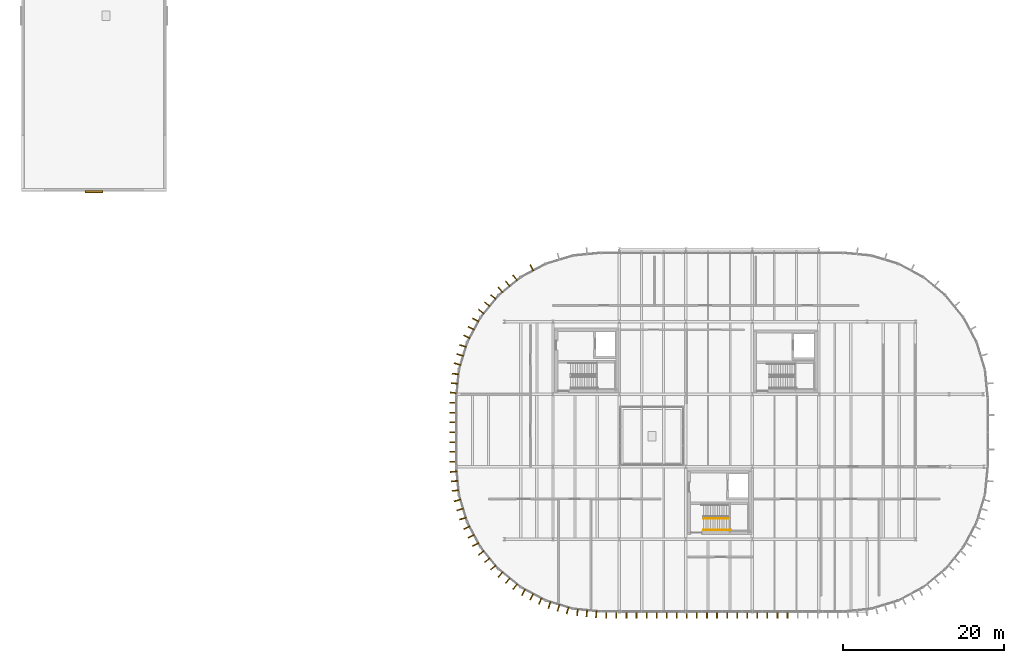
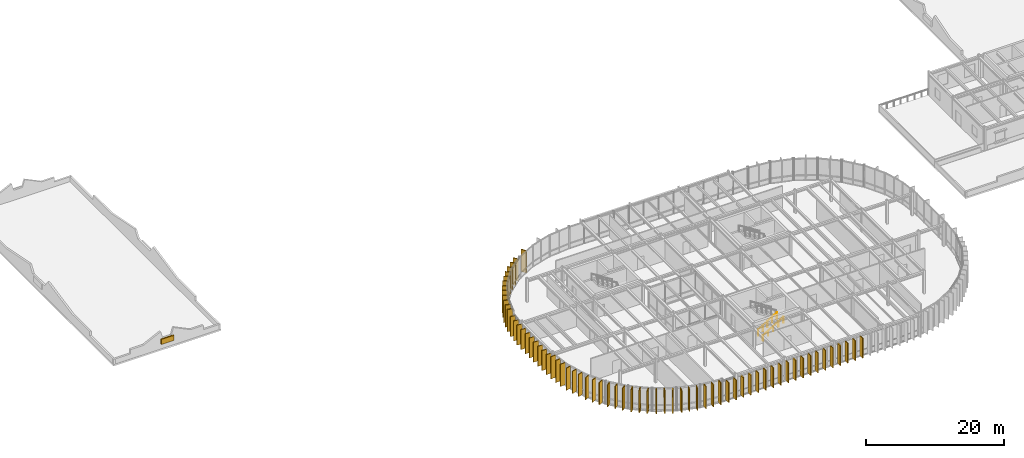
# One storey, part 26 of 31: 67 coverings, 2 railings.
"""IFC4 building model written with IfcOpenShell, lengths in metres."""

from ifc_helpers import new_model, si_unit, direction, frame, origin, origin_2d, place, context, subcontext, project, spatial, rectangle, circle, extrude, material, layer, layer_set, type_object, element, save


model = new_model("IFC4")

# Units and contexts
model_context = context("Model", 3, precision=1e-05, world=origin(), true_north=direction((0.0, 1.0)))
body_context = subcontext(model_context, "Body", "Model", "MODEL_VIEW")
ifc_project = project(units=[si_unit("LENGTHUNIT", "METRE"), si_unit("AREAUNIT", "SQUARE_METRE"), si_unit("VOLUMEUNIT", "CUBIC_METRE"), si_unit("PLANEANGLEUNIT", "RADIAN"), si_unit("MASSUNIT", "GRAM", prefix="KILO")], contexts=[model_context])

# Site, building, storey
site_placement = place(None, origin())
site = spatial("IfcSite", under=ifc_project, at=site_placement, CompositionType="ELEMENT")
building_placement = place(site_placement, origin())
building = spatial("IfcBuilding", under=site, at=building_placement, Name="Montealbar Specialist Clinic", CompositionType="ELEMENT")
storey_placement = place(building_placement, frame((0.0, 0.0, 13.800048828125)))
storey = spatial("IfcBuildingStorey", under=building, at=storey_placement, Name="L03", CompositionType="ELEMENT", Elevation=13.800048828125)

# Coverings
ifc_material_1 = material(Name="Thermally modified timber cladding", Category="wood")
ifc_layer_1 = layer(ifc_material_1, 0.139892578125, Name="Thermally modified timber cladding", Category="wood")
ifc_layer_set_1 = layer_set([ifc_layer_1], Name="Thermally modified timber cladding")
covering_type_1 = type_object("IfcCoveringType", Name="COV-FIN-TIMBER-850", PredefinedType="CLADDING", material=ifc_layer_set_1)
for number, where, z_axis, x_axis, name in (
    (1, (53.659912109375, 27.175048828125, 0.0), (0.0, 0.0, 1.0), (-0.995182012183, 0.098044697094, 0.0), "Vertical Timber Solar Fin CF-L03-0170"),
    (2, (53.77490234375, 28.344970703125, 0.0), (0.0, 0.0, 1.0), (-0.995182012183, 0.098044697094, 0.0), "Vertical Timber Solar Fin CF-L03-0171"),
    (3, (53.889892578125, 29.51611328125, 0.0), (0.0, 0.0, 1.0), (-0.995182012183, 0.098044697094, 0.0), "Vertical Timber Solar Fin CF-L03-0172"),
):
    element("IfcCovering", number, at=place(storey_placement, frame(where, z_axis=z_axis, x_axis=x_axis)), inside=storey, type_object=covering_type_1, Name=name, PredefinedType="CLADDING", context=body_context, shape_type="SweptSolid", body=[
        extrude(rectangle(XDim=0.85009765625, YDim=0.139892578125, at=origin_2d()), origin(), (0.0, 0.0, 1.0), 3.5400390625),
    ])
for number, where, z_axis, x_axis, name in (
    (4, (54.134033203125, 30.740966796875, 0.0), (0.0, 0.0, 1.0), (-0.956948083701, 0.290259134399, 0.0), "Vertical Timber Solar Fin CF-L03-0173"),
    (5, (54.47509765625, 31.865966796875, 0.0), (0.0, 0.0, 1.0), (-0.956948083701, 0.290259134399, 0.0), "Vertical Timber Solar Fin CF-L03-0174"),
    (6, (54.81689453125, 32.990966796875, 0.0), (0.0, 0.0, 1.0), (-0.956948083701, 0.290259134399, 0.0), "Vertical Timber Solar Fin CF-L03-0175"),
    (7, (55.294921875, 34.14501953125, 0.0), (0.0, 0.0, 1.0), (-0.881850411644, 0.471529268958, 0.0), "Vertical Timber Solar Fin CF-L03-0176"),
    (8, (55.84912109375, 35.18310546875, 0.0), (0.0, 0.0, 1.0), (-0.881850411644, 0.471529268958, 0.0), "Vertical Timber Solar Fin CF-L03-0177"),
    (9, (56.404052734375, 36.219970703125, 0.0), (0.0, 0.0, 1.0), (-0.881850411644, 0.471529268958, 0.0), "Vertical Timber Solar Fin CF-L03-0178"),
    (10, (57.097900390625, 37.258056640625, 0.0), (0.0, 0.0, 1.0), (-0.773123255923, 0.634255808922, 0.0), "Vertical Timber Solar Fin CF-L03-0179"),
    (11, (57.843994140625, 38.16796875, 0.0), (0.0, 0.0, 1.0), (-0.773123255923, 0.634255808922, 0.0), "Vertical Timber Solar Fin CF-L03-0180"),
    (12, (58.590087890625, 39.076904296875, 0.0), (0.0, 0.0, 1.0), (-0.773123255923, 0.634255808922, 0.0), "Vertical Timber Solar Fin CF-L03-0181"),
    (13, (59.472900390625, 39.9599609375, 0.0), (0.0, 0.0, 1.0), (-0.634255808922, 0.773123255923, 0.0), "Vertical Timber Solar Fin CF-L03-0182"),
    (14, (60.382080078125, 40.7060546875, 0.0), (0.0, 0.0, 1.0), (-0.634255808922, 0.773123255923, 0.0), "Vertical Timber Solar Fin CF-L03-0183"),
    (15, (61.2919921875, 41.451904296875, 0.0), (0.0, 0.0, 1.0), (-0.634255808922, 0.773123255923, 0.0), "Vertical Timber Solar Fin CF-L03-0184"),
    (16, (63.366943359375, 42.700927734375, 0.0), (0.0, 0.0, 1.0), (-0.471529268958, 0.881850411644, 0.0), "Vertical Timber Solar Fin CF-L03-0185"),
):
    element("IfcCovering", number, at=place(storey_placement, frame(where, z_axis=z_axis, x_axis=x_axis)), inside=storey, type_object=covering_type_1, Name=name, PredefinedType="CLADDING", context=body_context, shape_type="SweptSolid", body=[
        extrude(rectangle(XDim=0.85009765625, YDim=0.139892578125, at=origin_2d()), origin(), (0.0, 0.0, 1.0), 3.93994140625),
    ])
for number, where, z_axis, x_axis, name in (
    (17, (95.125, -0.39990234375, 0.0), (0.0, 0.0, 1.0), (0.0, -1.0, 0.0), "Vertical Timber Solar Fin CF-L03-0225"),
    (18, (93.875, -0.39990234375, 0.0), (0.0, 0.0, 1.0), (0.0, -1.0, 0.0), "Vertical Timber Solar Fin CF-L03-0226"),
    (19, (92.625, -0.39990234375, 0.0), (0.0, 0.0, 1.0), (0.0, -1.0, 0.0), "Vertical Timber Solar Fin CF-L03-0227"),
    (20, (91.375, -0.39990234375, 0.0), (0.0, 0.0, 1.0), (0.0, -1.0, 0.0), "Vertical Timber Solar Fin CF-L03-0228"),
    (21, (90.125, -0.39990234375, 0.0), (0.0, 0.0, 1.0), (0.0, -1.0, 0.0), "Vertical Timber Solar Fin CF-L03-0229"),
    (22, (88.875, -0.39990234375, 0.0), (0.0, 0.0, 1.0), (0.0, -1.0, 0.0), "Vertical Timber Solar Fin CF-L03-0230"),
    (23, (87.625, -0.39990234375, 0.0), (0.0, 0.0, 1.0), (0.0, -1.0, 0.0), "Vertical Timber Solar Fin CF-L03-0231"),
    (24, (86.375, -0.39990234375, 0.0), (0.0, 0.0, 1.0), (0.0, -1.0, 0.0), "Vertical Timber Solar Fin CF-L03-0232"),
    (25, (85.125, -0.39990234375, 0.0), (0.0, 0.0, 1.0), (0.0, -1.0, 0.0), "Vertical Timber Solar Fin CF-L03-0233"),
    (26, (83.875, -0.39990234375, 0.0), (0.0, 0.0, 1.0), (0.0, -1.0, 0.0), "Vertical Timber Solar Fin CF-L03-0234"),
    (27, (82.625, -0.39990234375, 0.0), (0.0, 0.0, 1.0), (0.0, -1.0, 0.0), "Vertical Timber Solar Fin CF-L03-0235"),
    (28, (81.375, -0.39990234375, 0.0), (0.0, 0.0, 1.0), (0.0, -1.0, 0.0), "Vertical Timber Solar Fin CF-L03-0236"),
    (29, (80.125, -0.39990234375, 0.0), (0.0, 0.0, 1.0), (0.0, -1.0, 0.0), "Vertical Timber Solar Fin CF-L03-0237"),
    (30, (78.875, -0.39990234375, 0.0), (0.0, 0.0, 1.0), (0.0, -1.0, 0.0), "Vertical Timber Solar Fin CF-L03-0238"),
    (31, (77.625, -0.39990234375, 0.0), (0.0, 0.0, 1.0), (0.0, -1.0, 0.0), "Vertical Timber Solar Fin CF-L03-0239"),
    (32, (76.375, -0.39990234375, 0.0), (0.0, 0.0, 1.0), (0.0, -1.0, 0.0), "Vertical Timber Solar Fin CF-L03-0240"),
    (33, (75.125, -0.39990234375, 0.0), (0.0, 0.0, 1.0), (0.0, -1.0, 0.0), "Vertical Timber Solar Fin CF-L03-0241"),
    (34, (73.875, -0.39990234375, 0.0), (0.0, 0.0, 1.0), (0.0, -1.0, 0.0), "Vertical Timber Solar Fin CF-L03-0242"),
    (35, (72.625, -0.39990234375, 0.0), (0.0, 0.0, 1.0), (0.0, -1.0, 0.0), "Vertical Timber Solar Fin CF-L03-0243"),
):
    element("IfcCovering", number, at=place(storey_placement, frame(where, z_axis=z_axis, x_axis=x_axis)), inside=storey, type_object=covering_type_1, Name=name, PredefinedType="CLADDING", context=body_context, shape_type="SweptSolid", body=[
        extrude(rectangle(XDim=0.85009765625, YDim=0.139892578125, at=origin_2d()), origin(), (0.0, 0.0, 1.0), 3.5400390625),
    ])
for number, where, z_axis, x_axis, name in (
    (36, (71.375, -0.340087890625, 0.0), (0.0, 0.0, 1.0), (-0.098044697094, -0.995182012183, 0.0), "Vertical Timber Solar Fin CF-L03-0244"),
    (37, (70.205078125, -0.22509765625, 0.0), (0.0, 0.0, 1.0), (-0.098044697094, -0.995182012183, 0.0), "Vertical Timber Solar Fin CF-L03-0245"),
    (38, (69.033935546875, -0.110107421875, 0.0), (0.0, 0.0, 1.0), (-0.098044697094, -0.995182012183, 0.0), "Vertical Timber Solar Fin CF-L03-0246"),
    (39, (67.80908203125, 0.134033203125, 0.0), (0.0, 0.0, 1.0), (-0.290259134399, -0.956948083701, 0.0), "Vertical Timber Solar Fin CF-L03-0247"),
    (40, (66.68408203125, 0.47509765625, 0.0), (0.0, 0.0, 1.0), (-0.290259134399, -0.956948083701, 0.0), "Vertical Timber Solar Fin CF-L03-0248"),
    (41, (65.55908203125, 0.81689453125, 0.0), (0.0, 0.0, 1.0), (-0.290259134399, -0.956948083701, 0.0), "Vertical Timber Solar Fin CF-L03-0249"),
    (42, (64.405029296875, 1.294921875, 0.0), (0.0, 0.0, 1.0), (-0.471529268958, -0.881850411644, 0.0), "Vertical Timber Solar Fin CF-L03-0250"),
    (43, (63.366943359375, 1.84912109375, 0.0), (0.0, 0.0, 1.0), (-0.471529268958, -0.881850411644, 0.0), "Vertical Timber Solar Fin CF-L03-0251"),
    (44, (62.330078125, 2.404052734375, 0.0), (0.0, 0.0, 1.0), (-0.471529268958, -0.881850411644, 0.0), "Vertical Timber Solar Fin CF-L03-0252"),
    (45, (61.2919921875, 3.097900390625, 0.0), (0.0, 0.0, 1.0), (-0.634255808922, -0.773123255923, 0.0), "Vertical Timber Solar Fin CF-L03-0253"),
    (46, (60.382080078125, 3.843994140625, 0.0), (0.0, 0.0, 1.0), (-0.634255808922, -0.773123255923, 0.0), "Vertical Timber Solar Fin CF-L03-0254"),
    (47, (59.472900390625, 4.590087890625, 0.0), (0.0, 0.0, 1.0), (-0.634255808922, -0.773123255923, 0.0), "Vertical Timber Solar Fin CF-L03-0255"),
    (48, (58.590087890625, 5.472900390625, 0.0), (0.0, 0.0, 1.0), (-0.773123255923, -0.634255808922, 0.0), "Vertical Timber Solar Fin CF-L03-0256"),
    (49, (57.843994140625, 6.382080078125, 0.0), (0.0, 0.0, 1.0), (-0.773123255923, -0.634255808922, 0.0), "Vertical Timber Solar Fin CF-L03-0257"),
    (50, (57.097900390625, 7.2919921875, 0.0), (0.0, 0.0, 1.0), (-0.773123255923, -0.634255808922, 0.0), "Vertical Timber Solar Fin CF-L03-0258"),
    (51, (56.404052734375, 8.330078125, 0.0), (0.0, 0.0, 1.0), (-0.881850411644, -0.471529268958, 0.0), "Vertical Timber Solar Fin CF-L03-0259"),
    (52, (55.84912109375, 9.366943359375, 0.0), (0.0, 0.0, 1.0), (-0.881850411644, -0.471529268958, 0.0), "Vertical Timber Solar Fin CF-L03-0260"),
    (53, (55.294921875, 10.405029296875, 0.0), (0.0, 0.0, 1.0), (-0.881850411644, -0.471529268958, 0.0), "Vertical Timber Solar Fin CF-L03-0261"),
    (54, (54.81689453125, 11.55908203125, 0.0), (0.0, 0.0, 1.0), (-0.956948083701, -0.290259134399, 0.0), "Vertical Timber Solar Fin CF-L03-0262"),
    (55, (54.47509765625, 12.68408203125, 0.0), (0.0, 0.0, 1.0), (-0.956948083701, -0.290259134399, 0.0), "Vertical Timber Solar Fin CF-L03-0263"),
    (56, (54.134033203125, 13.80908203125, 0.0), (0.0, 0.0, 1.0), (-0.956948083701, -0.290259134399, 0.0), "Vertical Timber Solar Fin CF-L03-0264"),
    (57, (53.889892578125, 15.033935546875, 0.0), (0.0, 0.0, 1.0), (-0.995182012183, -0.098044697094, 0.0), "Vertical Timber Solar Fin CF-L03-0265"),
    (58, (53.77490234375, 16.205078125, 0.0), (0.0, 0.0, 1.0), (-0.995182012183, -0.098044697094, 0.0), "Vertical Timber Solar Fin CF-L03-0266"),
    (59, (53.659912109375, 17.375, 0.0), (0.0, 0.0, 1.0), (-0.995182012183, -0.098044697094, 0.0), "Vertical Timber Solar Fin CF-L03-0267"),
):
    element("IfcCovering", number, at=place(storey_placement, frame(where, z_axis=z_axis, x_axis=x_axis)), inside=storey, type_object=covering_type_1, Name=name, PredefinedType="CLADDING", context=body_context, shape_type="SweptSolid", body=[
        extrude(rectangle(XDim=0.85009765625, YDim=0.139892578125, at=origin_2d()), origin(), (0.0, 0.0, 1.0), 3.93994140625),
    ])
for number, where, z_axis, x_axis, name in (
    (60, (53.60009765625, 18.611083984375, 0.0), (0.0, 0.0, 1.0), (-1.0, 0.0, 0.0), "Vertical Timber Solar Fin CF-L03-0268"),
    (61, (53.60009765625, 19.83203125, 0.0), (0.0, 0.0, 1.0), (-1.0, 0.0, 0.0), "Vertical Timber Solar Fin CF-L03-0269"),
    (62, (53.60009765625, 21.053955078125, 0.0), (0.0, 0.0, 1.0), (-1.0, 0.0, 0.0), "Vertical Timber Solar Fin CF-L03-0270"),
    (63, (53.60009765625, 22.27490234375, 0.0), (0.0, 0.0, 1.0), (-1.0, 0.0, 0.0), "Vertical Timber Solar Fin CF-L03-0271"),
    (64, (53.60009765625, 23.49609375, 0.0), (0.0, 0.0, 1.0), (-1.0, 0.0, 0.0), "Vertical Timber Solar Fin CF-L03-0272"),
    (65, (53.60009765625, 24.718017578125, 0.0), (0.0, 0.0, 1.0), (-1.0, 0.0, 0.0), "Vertical Timber Solar Fin CF-L03-0273"),
    (66, (53.60009765625, 25.93896484375, 0.0), (0.0, 0.0, 1.0), (-1.0, 0.0, 0.0), "Vertical Timber Solar Fin CF-L03-0274"),
):
    element("IfcCovering", number, at=place(storey_placement, frame(where, z_axis=z_axis, x_axis=x_axis)), inside=storey, type_object=covering_type_1, Name=name, PredefinedType="CLADDING", context=body_context, shape_type="SweptSolid", body=[
        extrude(rectangle(XDim=0.85009765625, YDim=0.139892578125, at=origin_2d()), origin(), (0.0, 0.0, 1.0), 3.5400390625),
    ])
ifc_material_2 = material(Name="Guadarrama granite ashlar", Category="masonry")
ifc_layer_2 = layer(ifc_material_2, 0.280029296875, Name="Guadarrama granite ashlar", Category="masonry")
ifc_layer_set_2 = layer_set([ifc_layer_2], Name="Guadarrama granite ashlar")
covering_type_2 = type_object("IfcCoveringType", Name="COV-HOOD-OCULUS", PredefinedType="CLADDING", material=ifc_layer_set_2)
covering_placement = place(storey_placement, frame((9.0, 52.1298828125, 0.89990234375), z_axis=(0.0, 0.0, 1.0), x_axis=(-1.0, 0.0, 0.0)))
element("IfcCovering", 67, at=covering_placement, inside=storey, type_object=covering_type_2, Name="Postmodern Pediment Granite Keystone L03-15", PredefinedType="CLADDING", context=body_context, shape_type="SweptSolid", body=[
    extrude(rectangle(XDim=2.159912109375, YDim=0.219970703125, at=origin_2d()), origin(), (0.0, 0.0, 1.0), 0.89990234375),
])

# Railings
ifc_material_3 = material(Name="Steel S355", Category="steel")
ifc_layer_3 = layer(ifc_material_3, 0.050048828125, Name="Steel S355", Category="steel")
ifc_layer_set_3 = layer_set([ifc_layer_3], Name="Steel S355")
railing_type_1 = type_object("IfcRailingType", Name="RAIL-STAIR-BAL-1100", PredefinedType="BALUSTRADE", material=ifc_layer_set_3)
railing_1_placement = place(storey_placement, frame((84.699951171875, 11.550048828125, 0.175048828125)))
element("IfcRailing", 68, at=railing_1_placement, inside=storey, type_object=railing_type_1, Name="L03 ST-04 stair guard 1", PredefinedType="BALUSTRADE", context=body_context, shape_type="SweptSolid", body=[
    extrude(circle(Radius=0.02392578125, at=origin_2d()), frame((0.0, 0.0, 1.076171875), z_axis=(0.852195625947, 0.0, 0.523223293744), x_axis=(0.0, 1.0, 0.0)), (0.0, 0.0, 1.0), 3.6787109375),
    extrude(circle(Radius=0.02099609375, at=origin_2d()), frame((0.0, 0.0, -0.02490234375)), (0.0, 0.0, 1.0), 1.076904296875),
    extrude(circle(Radius=0.02099609375, at=origin_2d()), frame((0.78369140625, 0.0, 0.456298828125)), (0.0, 0.0, 1.0), 1.076904296875),
    extrude(circle(Radius=0.02099609375, at=origin_2d()), frame((1.5673828125, 0.0, 0.9375)), (0.0, 0.0, 1.0), 1.076904296875),
    extrude(circle(Radius=0.02099609375, at=origin_2d()), frame((2.351318359375, 0.0, 1.418701171875)), (0.0, 0.0, 1.0), 1.076904296875),
    extrude(circle(Radius=0.02099609375, at=origin_2d()), frame((3.135009765625, 0.0, 1.89990234375)), (0.0, 0.0, 1.0), 1.076904296875),
])
ifc_layer_4 = layer(ifc_material_3, 0.044921875, Name="Steel S355", Category="steel")
ifc_layer_set_4 = layer_set([ifc_layer_4], Name="Steel S355")
railing_type_2 = type_object("IfcRailingType", Name="RAIL-STAIR-HR-900", PredefinedType="HANDRAIL", material=ifc_layer_set_4)
railing_2_placement = place(storey_placement, frame((84.699951171875, 10.14990234375, 0.175048828125)))
element("IfcRailing", 69, at=railing_2_placement, inside=storey, type_object=railing_type_2, Name="L03 ST-04 stair handrail 1", PredefinedType="HANDRAIL", context=body_context, shape_type="SweptSolid", body=[
    extrude(circle(Radius=0.02392578125, at=origin_2d()), frame((0.0, 0.0, 0.8759765625), z_axis=(0.852198826108, 0.0, 0.523218081473), x_axis=(0.0, 1.0, 0.0)), (0.0, 0.0, 1.0), 4.013427734375),
    extrude(circle(Radius=0.02099609375, at=origin_2d()), frame((0.0, 0.0, -0.02490234375)), (0.0, 0.0, 1.0), 0.876708984375),
    extrude(circle(Radius=0.02099609375, at=origin_2d()), frame((0.85498046875, 0.0, 0.5)), (0.0, 0.0, 1.0), 0.876708984375),
    extrude(circle(Radius=0.02099609375, at=origin_2d()), frame((1.7099609375, 0.0, 1.02490234375)), (0.0, 0.0, 1.0), 0.876708984375),
    extrude(circle(Radius=0.02099609375, at=origin_2d()), frame((2.565185546875, 0.0, 1.5498046875)), (0.0, 0.0, 1.0), 0.876708984375),
    extrude(circle(Radius=0.02099609375, at=origin_2d()), frame((3.420166015625, 0.0, 1.89990234375)), (0.0, 0.0, 1.0), 1.0517578125),
])

save(model, "model.ifc")
